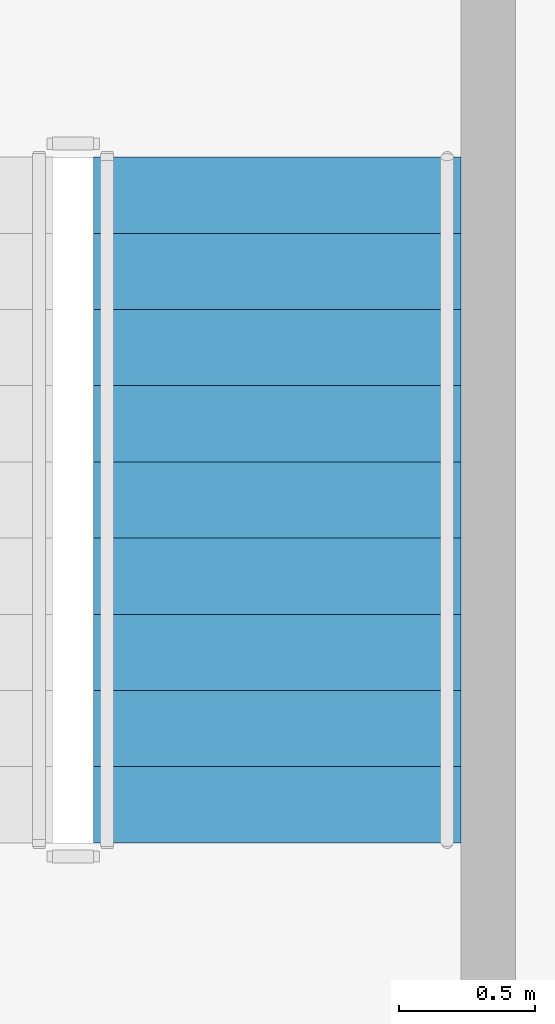
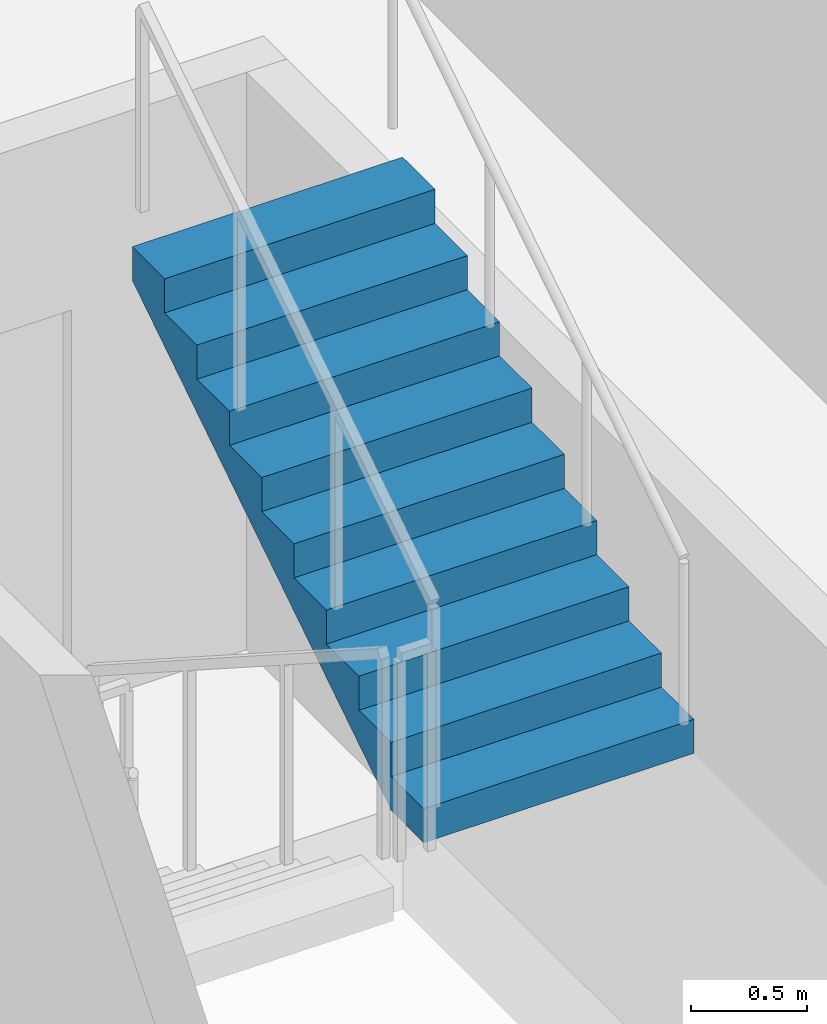
# One storey, part 13 of 17: 1 stair flight, 1 element without a shape of its own.
"""IFC4 building model written with IfcOpenShell, lengths in metres."""

from ifc_helpers import new_model, si_unit, direction, frame, origin, place, context, subcontext, project, spatial, polyline, outline, extrude, material, type_object, element, aggregate, save


model = new_model("IFC4")

# Units and contexts
model_context = context("Model", 3, precision=1e-05, world=origin(), true_north=direction((0.0, 1.0)))
body_context = subcontext(model_context, "Body", "Model", "MODEL_VIEW")
ifc_project = project(units=[si_unit("LENGTHUNIT", "METRE"), si_unit("AREAUNIT", "SQUARE_METRE"), si_unit("VOLUMEUNIT", "CUBIC_METRE"), si_unit("PLANEANGLEUNIT", "RADIAN"), si_unit("MASSUNIT", "GRAM", prefix="KILO")], contexts=[model_context])

# Site, building, storey
site_placement = place(None, origin())
site = spatial("IfcSite", under=ifc_project, at=site_placement, CompositionType="ELEMENT")
building_placement = place(site_placement, origin())
building = spatial("IfcBuilding", under=site, at=building_placement, Name="Mangrove Gate Tower", CompositionType="ELEMENT")
storey_placement = place(building_placement, frame((0.0, 0.0, 241.89990234375)))
storey = spatial("IfcBuildingStorey", under=building, at=storey_placement, Name="L61", CompositionType="ELEMENT", Elevation=241.89990234375)

# Stair, stair flight
ifc_material_1 = material(Name="Concrete C40/50", Category="concrete")
stair_type = type_object("IfcStairType", Name="Core stair 1350", PredefinedType="HALF_TURN_STAIR", material=ifc_material_1)
stair_placement = place(storey_placement, origin())
stair = element("IfcStair", 1, at=stair_placement, inside=storey, type_object=stair_type, Name="L61 Stair 3", PredefinedType="HALF_TURN_STAIR")
ifc_material_2 = material(Name="Concrete C40/50", Category="concrete")
stair_flight_type = type_object("IfcStairFlightType", Name="Core stair flight 1350", PredefinedType="STRAIGHT", material=ifc_material_2)
stair_flight_placement = place(storey_placement, frame((10.02490234375, -7.169921875, 1.800048828125), z_axis=(0.0, 0.0, 1.0), x_axis=(0.0, 1.0, 0.0)))
stair_flight = element("IfcStairFlight", 2, at=stair_flight_placement, type_object=stair_flight_type, Name="ST3 flight 2", NumberOfRisers=10, NumberOfTreads=9, PredefinedType="STRAIGHT", RiserHeight=0.18, TreadLength=0.28, context=body_context, shape_type="SweptSolid", body=[
    extrude(outline(polyline([(0.0, 0.0), (0.0, 0.179931640625), (0.280029296875, 0.179931640625), (0.280029296875, 0.360107421875), (0.56005859375, 0.360107421875), (0.56005859375, 0.5400390625), (0.840087890625, 0.5400390625), (0.840087890625, 0.719970703125), (1.1201171875, 0.719970703125), (1.1201171875, 0.89990234375), (1.39990234375, 0.89990234375), (1.39990234375, 1.080078125), (1.679931640625, 1.080078125), (1.679931640625, 1.260009765625), (1.9599609375, 1.260009765625), (1.9599609375, 1.43994140625), (2.239990234375, 1.43994140625), (2.239990234375, 1.6201171875), (2.52001953125, 1.6201171875), (2.52001953125, 1.800048828125), (2.52001953125, 1.44189453125), (0.277099609375, 0.0), (0.0, 0.0)])), frame((0.0, 0.675048828125, 0.0), z_axis=(0.0, -1.0, 0.0), x_axis=(1.0, 0.0, 0.0)), (0.0, 0.0, 1.0), 1.35009765625),
])
aggregate(stair, [stair_flight])

save(model, "model.ifc")
